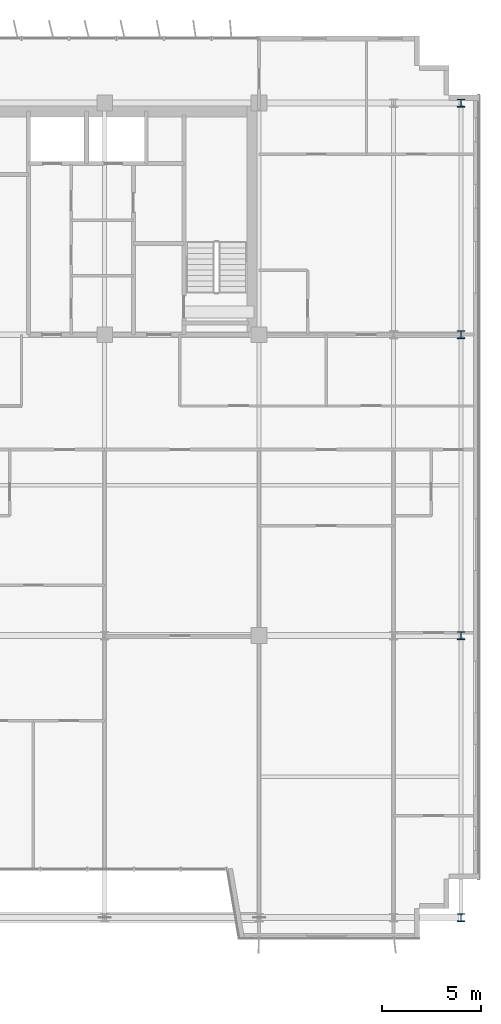
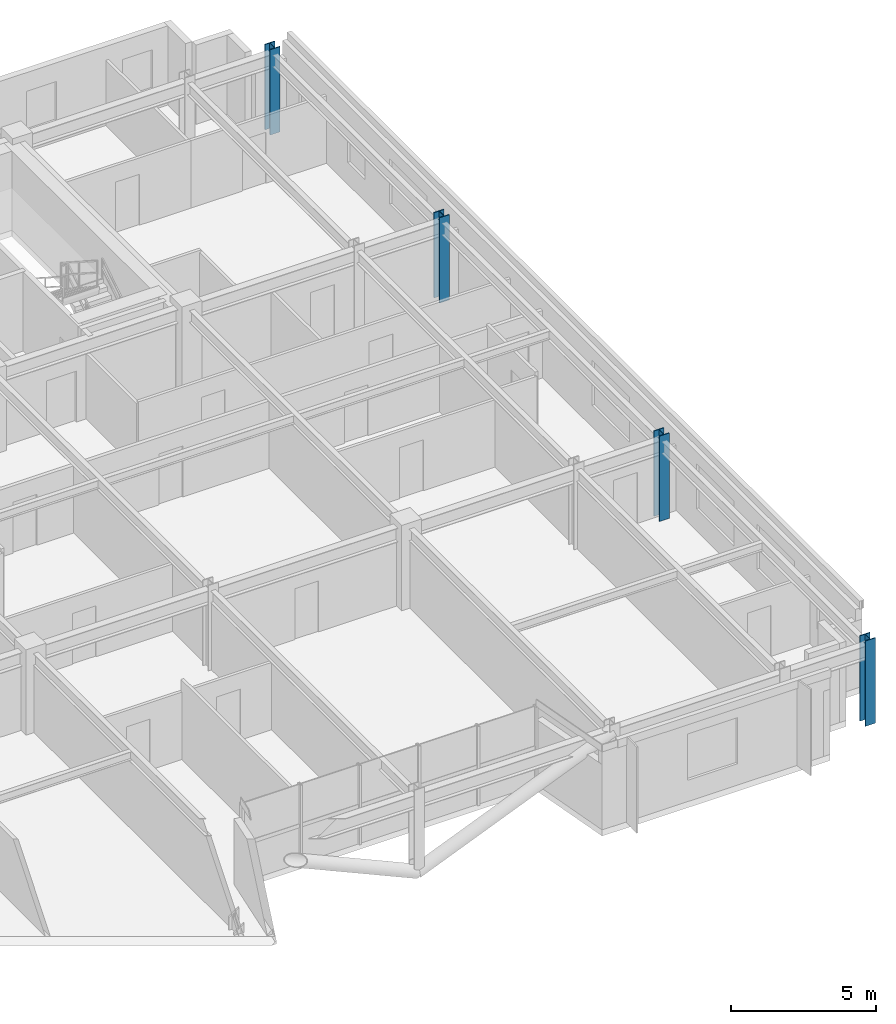
# One storey, part 3 of 26: 4 columns.
"""IFC4 building model written with IfcOpenShell, lengths in metres."""

from ifc_helpers import new_model, si_unit, direction, frame, origin, origin_2d, place, context, subcontext, project, spatial, i_section, extrude, source, transform, mapped, material, material_profile, profile_set, type_object, element, save


model = new_model("IFC4")

# Units and contexts
model_context = context("Model", 3, precision=1e-05, world=origin(), true_north=direction((0.0, 1.0)))
body_context = subcontext(model_context, "Body", "Model", "MODEL_VIEW")
ifc_project = project(units=[si_unit("LENGTHUNIT", "METRE"), si_unit("AREAUNIT", "SQUARE_METRE"), si_unit("VOLUMEUNIT", "CUBIC_METRE"), si_unit("PLANEANGLEUNIT", "RADIAN"), si_unit("MASSUNIT", "GRAM", prefix="KILO")], contexts=[model_context])

# Site, building, storey
site_placement = place(None, origin())
site = spatial("IfcSite", under=ifc_project, at=site_placement, CompositionType="ELEMENT")
building_placement = place(site_placement, origin())
building = spatial("IfcBuilding", under=site, at=building_placement, Name="Trelvane Seafront Commons", CompositionType="ELEMENT")
storey_placement = place(building_placement, frame((0.0, 0.0, 124.89990234375)))
storey = spatial("IfcBuildingStorey", under=building, at=storey_placement, Name="L32", CompositionType="ELEMENT", Elevation=124.89990234375)

# Columns
ifc_material = material(Name="Steel SM355 (S355)", Category="steel")
ifc_material_profile = material_profile(ifc_material, i_section(OverallWidth=0.39990234375, OverallDepth=0.39990234375, WebThickness=0.02197265625, FlangeThickness=0.034912109375, at=origin_2d()), Name="HD-400x400x22x35")
ifc_profile_set = profile_set([ifc_material_profile], Name="Steel SM355 (S355)")
column_type = type_object("IfcColumnType", Name="STR-COL-HD400", PredefinedType="COLUMN", material=ifc_profile_set)
shared_shape = source(origin(), body_context, "Body", "SweptSolid", [
    extrude(i_section(OverallWidth=0.39990234375, OverallDepth=0.39990234375, WebThickness=0.02197265625, FlangeThickness=0.034912109375, at=origin_2d()), origin(), (0.0, 0.0, 1.0), 3.60009765625),
])
for number, where, z_axis, x_axis, name in (
    (1, (69.0, 3.949951171875, 0.0), (0.0, 0.0, 1.0), (1.0, 0.0, 0.0), "L32 Column TC-S69.0"),
    (2, (69.0, 18.199951171875, 0.0), (0.0, 0.0, 1.0), (1.0, 0.0, 0.0), "L32 Column TC-M69.0"),
    (3, (69.0, 33.39990234375, 0.0), (0.0, 0.0, 1.0), (1.0, 0.0, 0.0), "L32 Column TC-CS69.0"),
    (4, (69.0, 45.10009765625, 0.0), (0.0, 0.0, 1.0), (1.0, 0.0, 0.0), "L32 Column TC-CN69.0"),
):
    element("IfcColumn", number, at=place(storey_placement, frame(where, z_axis=z_axis, x_axis=x_axis)), inside=storey, type_object=column_type, Name=name, PredefinedType="COLUMN", context=body_context, shape_type="MappedRepresentation", body=[
        mapped(shared_shape, transform((0.0, 0.0, 0.0), x_axis=(1.0, 0.0, 0.0), y_axis=(0.0, 1.0, 0.0), z_axis=(0.0, 0.0, 1.0), scale=1.0)),
    ])

save(model, "model.ifc")
